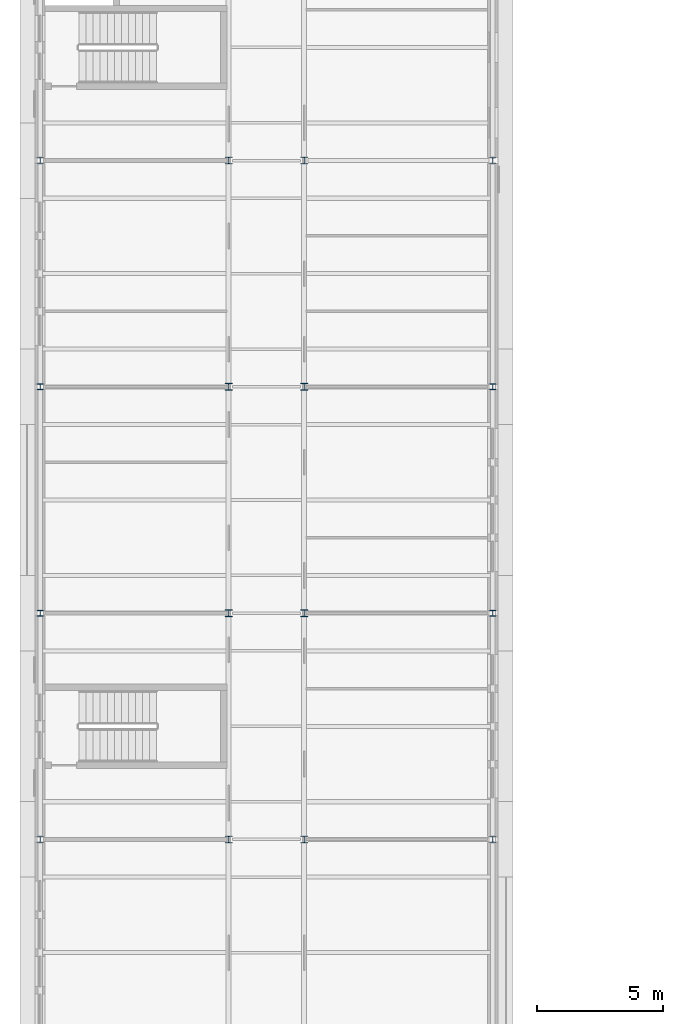
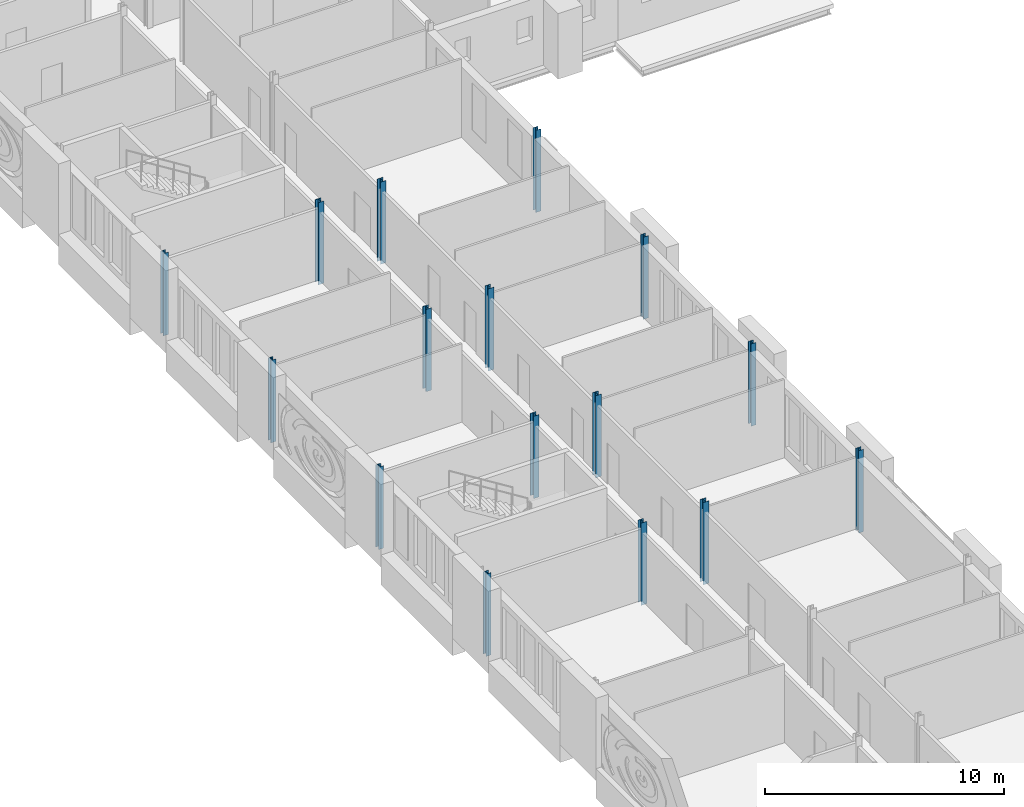
# One storey, part 2 of 121: 16 columns.
"""IFC4 building model written with IfcOpenShell, lengths in metres."""

import ifcopenshell
import ifcopenshell.guid

model = None  # the IFC model being written
_history = None  # IfcOwnerHistory: only IFC2X3 demands one
_inside = {}  # id of a spatial element -> (the spatial element, [elements in it])
_under = {}  # id of a project, library or spatial element -> (it, [spatial elements below it])
_declared = {}  # id of a project -> (the project, [libraries it declares])
_typed = {}  # id of a type object -> (the type object, [elements of that type])
_made_of = {}  # id of a material, layer set ... -> (it, [elements and type objects made of it])


def new_model(schema):
    """Start an empty IFC model of exactly this schema.

    Asked for "IFC4X3", IfcOpenShell would pick the latest addendum, in which some entities
    have other attributes; the version numbers below select the first issue.
    IFC2X3 requires an IfcOwnerHistory on every rooted entity: one is made here for all.
    """
    global model, _history
    if schema == "IFC4X3":
        model = ifcopenshell.file(schema_version=(4, 3, 0, 0))
    else:
        model = ifcopenshell.file(schema=schema)
    _inside.clear()
    _under.clear()
    _declared.clear()
    _typed.clear()
    _made_of.clear()
    _history = None
    if model.schema == "IFC2X3":
        org = make("IfcOrganization", Name="unknown")
        user = make(
            "IfcPersonAndOrganization",
            ThePerson=make("IfcPerson", FamilyName="unknown"),
            TheOrganization=org,
        )
        app = make(
            "IfcApplication",
            ApplicationDeveloper=org,
            Version="unknown",
            ApplicationFullName="unknown",
            ApplicationIdentifier="unknown",
        )
        _history = make(
            "IfcOwnerHistory",
            OwningUser=user,
            OwningApplication=app,
            ChangeAction="ADDED",
            CreationDate=0,
        )
    return model


def make(cls, **values):
    """One entity of the class cls with the attributes given. An attribute that is None is left unset."""
    return model.create_entity(
        cls, **{name: value for name, value in values.items() if value is not None}
    )


def rooted(cls, **values):
    """An entity with a GlobalId (a new one), such as an element, a storey or a relation."""
    return make(cls, GlobalId=ifcopenshell.guid.new(), OwnerHistory=_history, **values)


def si_unit(unit_type, name, prefix=None):
    """IfcSIUnit, for example si_unit("LENGTHUNIT", "METRE", prefix="MILLI")."""
    return make("IfcSIUnit", UnitType=unit_type, Prefix=prefix, Name=name)


def assignment(units):
    """IfcUnitAssignment: the units of a project."""
    return None if units is None else make("IfcUnitAssignment", Units=units)


def point(xyz):
    """IfcCartesianPoint."""
    return None if xyz is None else make("IfcCartesianPoint", Coordinates=xyz)


def direction(xyz):
    """IfcDirection."""
    return None if xyz is None else make("IfcDirection", DirectionRatios=xyz)


def frame(location, z_axis=None, x_axis=None):
    """IfcAxis2Placement3D, a coordinate frame: its origin and axes. An axis left out is left unset."""
    return make(
        "IfcAxis2Placement3D",
        Location=point(location),
        Axis=direction(z_axis),
        RefDirection=direction(x_axis),
    )


def frame_2d(location, x_axis=None):
    """IfcAxis2Placement2D, a coordinate frame in the plane: its origin and x axis."""
    return make(
        "IfcAxis2Placement2D", Location=point(location), RefDirection=direction(x_axis)
    )


def origin():
    """The frame at (0, 0, 0) with its axes left unset."""
    return frame((0.0, 0.0, 0.0))


def origin_2d():
    """The frame at (0, 0) in the plane with its x axis left unset."""
    return frame_2d((0.0, 0.0))


def place(relative_to, where):
    """IfcLocalPlacement: puts the frame where relative to a parent placement (None: the world)."""
    return make(
        "IfcLocalPlacement", PlacementRelTo=relative_to, RelativePlacement=where
    )


def context(
    kind, dimensions, precision=None, world=None, true_north=None, identifier=None
):
    """IfcGeometricRepresentationContext, for example the 3D "Model" context."""
    return make(
        "IfcGeometricRepresentationContext",
        ContextIdentifier=identifier,
        ContextType=kind,
        CoordinateSpaceDimension=dimensions,
        Precision=precision,
        WorldCoordinateSystem=world,
        TrueNorth=true_north,
    )


def subcontext(parent, identifier, kind, view, scale=None):
    """IfcGeometricRepresentationSubContext, for example "Body" below "Model"."""
    return make(
        "IfcGeometricRepresentationSubContext",
        ContextIdentifier=identifier,
        ContextType=kind,
        ParentContext=parent,
        TargetScale=scale,
        TargetView=view,
    )


def project(units=None, contexts=None):
    """IfcProject with its units and contexts."""
    return rooted(
        "IfcProject",
        Name="project",
        RepresentationContexts=contexts,
        UnitsInContext=assignment(units),
    )


def spatial(cls, under=None, at=None, **own):
    """A site, building, storey or space (cls), placed at a placement, below another one or the project."""
    s = rooted(cls, ObjectPlacement=at, **own)
    if under is not None:
        _under.setdefault(under.id(), (under, []))[1].append(s)
    return s


def profile(cls, at=None, kind="AREA", **sizes):
    """A parametric profile (cls). Its sizes go by their IFC names, for example OverallWidth=200.0."""
    return make(cls, ProfileType=kind, Position=at, **sizes)


def i_section(**sizes):
    """IfcIShapeProfileDef."""
    return profile("IfcIShapeProfileDef", **sizes)


def extrude(swept, where, along, depth):
    """IfcExtrudedAreaSolid: the profile swept, set in the frame where, extruded along a direction by depth."""
    return make(
        "IfcExtrudedAreaSolid",
        SweptArea=swept,
        Position=where,
        ExtrudedDirection=direction(along),
        Depth=depth,
    )


def shape(context_of_items, identifier, shape_type, items):
    """IfcShapeRepresentation: the items that make up one representation, for example the "Body"."""
    return make(
        "IfcShapeRepresentation",
        ContextOfItems=context_of_items,
        RepresentationIdentifier=identifier,
        RepresentationType=shape_type,
        Items=items,
    )


def material(Name=None, Category=None):
    """IfcMaterial."""
    return make("IfcMaterial", Name=Name, Category=Category)


def material_profile(
    of_material, cross_section, Name=None, Category=None, Priority=None
):
    """IfcMaterialProfile: a cross section and its material."""
    return make(
        "IfcMaterialProfile",
        Name=Name,
        Material=of_material,
        Profile=cross_section,
        Priority=Priority,
        Category=Category,
    )


def profile_set(profiles, Name=None, composite=None):
    """IfcMaterialProfileSet."""
    return make(
        "IfcMaterialProfileSet",
        Name=Name,
        MaterialProfiles=profiles,
        CompositeProfile=composite,
    )


def made_of(thing, what):
    """Note that an element or type object is made of a material, layer set ...; save() writes the relation."""
    if what is not None:
        _made_of.setdefault(what.id(), (what, []))[1].append(thing)
    return thing


def type_object(cls, material=None, **own):
    """A type object (cls), such as IfcWallType, which elements share."""
    return made_of(rooted(cls, **own), material)


def element(
    cls,
    number,
    at=None,
    inside=None,
    cuts=None,
    type_object=None,
    material=None,
    context=None,
    identifier="Body",
    shape_type=None,
    held_by="IfcProductDefinitionShape",
    body=None,
    shapes=None,
    **own,
):
    """One element of the class cls, such as IfcWall. Its Tag is "e" and its number.

    at: its placement. inside: the storey or other place that contains it. cuts: it is an
    opening in that element (IfcRelVoidsElement). A single representation is given by context,
    identifier, shape_type and body (its items); several are given by shapes. held_by: the class
    of the entity that holds the representations. save() writes the other relations.
    """
    e = rooted(cls, Tag="e%d" % number, ObjectPlacement=at, **own)
    if body is not None:
        shapes = [shape(context, identifier, shape_type, body)]
    if shapes is not None:
        e.Representation = make(held_by, Representations=shapes)
    if inside is not None:
        _inside.setdefault(inside.id(), (inside, []))[1].append(e)
    if cuts is not None:
        rooted(
            "IfcRelVoidsElement", RelatingBuildingElement=cuts, RelatedOpeningElement=e
        )
    if type_object is not None:
        _typed.setdefault(type_object.id(), (type_object, []))[1].append(e)
    return made_of(e, material)


def aggregate(whole, parts):
    """IfcRelAggregates: a whole, such as a stair, and the parts it consists of."""
    return rooted("IfcRelAggregates", RelatingObject=whole, RelatedObjects=parts)


def save(model, path):
    """Write the relations noted so far, then the file.

    IfcRelAggregates (storeys below a building ...), IfcRelContainedInSpatialStructure (elements
    in a storey), IfcRelDefinesByType, IfcRelAssociatesMaterial and IfcRelDeclares: one each for
    every whole, place, type object, material and project.
    """
    for whole, parts in _under.values():
        aggregate(whole, parts)
    for where, things in _inside.values():
        rooted(
            "IfcRelContainedInSpatialStructure",
            RelatedElements=things,
            RelatingStructure=where,
        )
    for kind, things in _typed.values():
        rooted("IfcRelDefinesByType", RelatedObjects=things, RelatingType=kind)
    for what, things in _made_of.values():
        rooted("IfcRelAssociatesMaterial", RelatedObjects=things, RelatingMaterial=what)
    for by, libraries in _declared.values():
        rooted("IfcRelDeclares", RelatingContext=by, RelatedDefinitions=libraries)
    model.write(path)


model = new_model("IFC4")

# Units and contexts
model_context = context("Model", 3, precision=1e-05, world=origin(), true_north=direction((0.0, 1.0)))
body_context = subcontext(model_context, "Body", "Model", "MODEL_VIEW")
ifc_project = project(units=[si_unit("LENGTHUNIT", "METRE"), si_unit("AREAUNIT", "SQUARE_METRE"), si_unit("VOLUMEUNIT", "CUBIC_METRE"), si_unit("PLANEANGLEUNIT", "RADIAN"), si_unit("MASSUNIT", "GRAM", prefix="KILO")], contexts=[model_context])

# Site, building, storey
site_placement = place(None, origin())
site = spatial("IfcSite", under=ifc_project, at=site_placement, CompositionType="ELEMENT")
building_placement = place(site_placement, origin())
building = spatial("IfcBuilding", under=site, at=building_placement, Name="Golden Quay Civic Hall", CompositionType="ELEMENT")
storey_placement = place(building_placement, frame((0.0, 0.0, 18.60009765625)))
storey = spatial("IfcBuildingStorey", under=building, at=storey_placement, Name="L04", CompositionType="ELEMENT", Elevation=18.60009765625)

# Columns
ifc_material_1 = material(Name="Steel S355", Category="steel")
ifc_material_profile_1 = material_profile(ifc_material_1, i_section(OverallWidth=0.239990234375, OverallDepth=0.22998046875, WebThickness=0.007568359375, FlangeThickness=0.011962890625, FilletRadius=0.02099609375, at=origin_2d()), Name="HEA 240")
ifc_profile_set_1 = profile_set([ifc_material_profile_1], Name="Steel S355")
column_type_1 = type_object("IfcColumnType", Name="Steel column HEA 240", PredefinedType="COLUMN", material=ifc_profile_set_1)
for number, where, z_axis, x_axis, name in (
    (1, (0.0, 27.0, -0.2001953125), (0.0, 0.0, 1.0), (1.0, 0.0, 0.0), "Column 0/27 L04"),
    (2, (0.0, 36.0, -0.2001953125), (0.0, 0.0, 1.0), (1.0, 0.0, 0.0), "Column 0/36 L04"),
    (3, (0.0, 45.0, -0.2001953125), (0.0, 0.0, 1.0), (1.0, 0.0, 0.0), "Column 0/45 L04"),
    (4, (0.0, 54.0, -0.2001953125), (0.0, 0.0, 1.0), (1.0, 0.0, 0.0), "Column 0/54 L04"),
    (5, (18.0, 27.0, -0.2001953125), (0.0, 0.0, 1.0), (1.0, 0.0, 0.0), "Column 18/27 L04"),
    (6, (18.0, 36.0, -0.2001953125), (0.0, 0.0, 1.0), (1.0, 0.0, 0.0), "Column 18/36 L04"),
    (7, (18.0, 45.0, -0.2001953125), (0.0, 0.0, 1.0), (1.0, 0.0, 0.0), "Column 18/45 L04"),
    (8, (18.0, 54.0, -0.2001953125), (0.0, 0.0, 1.0), (1.0, 0.0, 0.0), "Column 18/54 L04"),
):
    element("IfcColumn", number, at=place(storey_placement, frame(where, z_axis=z_axis, x_axis=x_axis)), inside=storey, type_object=column_type_1, Name=name, PredefinedType="COLUMN", context=body_context, shape_type="SweptSolid", body=[
        extrude(i_section(OverallWidth=0.239990234375, OverallDepth=0.22998046875, WebThickness=0.007568359375, FlangeThickness=0.011962890625, FilletRadius=0.02099609375, at=origin_2d()), origin(), (0.0, 0.0, 1.0), 4.2001953125),
    ])
ifc_material_2 = material(Name="Steel S355", Category="steel")
ifc_material_profile_2 = material_profile(ifc_material_2, i_section(OverallWidth=0.280029296875, OverallDepth=0.27001953125, WebThickness=0.008056640625, FlangeThickness=0.012939453125, FilletRadius=0.02392578125, at=origin_2d()), Name="HEA 280")
ifc_profile_set_2 = profile_set([ifc_material_profile_2], Name="Steel S355")
column_type_2 = type_object("IfcColumnType", Name="Steel column HEA 280", PredefinedType="COLUMN", material=ifc_profile_set_2)
for number, where, z_axis, x_axis, name in (
    (9, (7.5, 27.0, -0.2001953125), (0.0, 0.0, 1.0), (1.0, 0.0, 0.0), "Column 7.5/27 L04"),
    (10, (7.5, 36.0, -0.2001953125), (0.0, 0.0, 1.0), (1.0, 0.0, 0.0), "Column 7.5/36 L04"),
    (11, (7.5, 45.0, -0.2001953125), (0.0, 0.0, 1.0), (1.0, 0.0, 0.0), "Column 7.5/45 L04"),
    (12, (7.5, 54.0, -0.2001953125), (0.0, 0.0, 1.0), (1.0, 0.0, 0.0), "Column 7.5/54 L04"),
    (13, (10.5, 27.0, -0.2001953125), (0.0, 0.0, 1.0), (1.0, 0.0, 0.0), "Column 10.5/27 L04"),
    (14, (10.5, 36.0, -0.2001953125), (0.0, 0.0, 1.0), (1.0, 0.0, 0.0), "Column 10.5/36 L04"),
    (15, (10.5, 45.0, -0.2001953125), (0.0, 0.0, 1.0), (1.0, 0.0, 0.0), "Column 10.5/45 L04"),
    (16, (10.5, 54.0, -0.2001953125), (0.0, 0.0, 1.0), (1.0, 0.0, 0.0), "Column 10.5/54 L04"),
):
    element("IfcColumn", number, at=place(storey_placement, frame(where, z_axis=z_axis, x_axis=x_axis)), inside=storey, type_object=column_type_2, Name=name, PredefinedType="COLUMN", context=body_context, shape_type="SweptSolid", body=[
        extrude(i_section(OverallWidth=0.280029296875, OverallDepth=0.27001953125, WebThickness=0.008056640625, FlangeThickness=0.012939453125, FilletRadius=0.02392578125, at=origin_2d()), origin(), (0.0, 0.0, 1.0), 4.2001953125),
    ])

save(model, "model.ifc")
